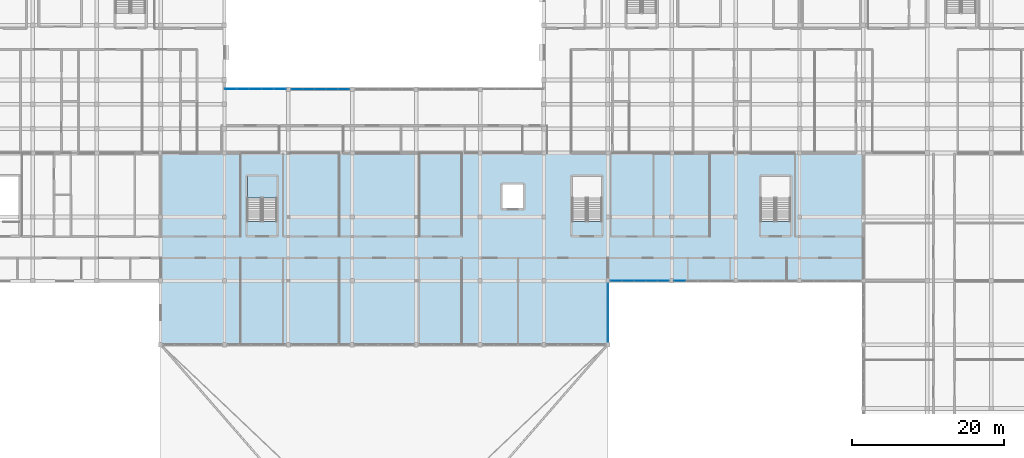
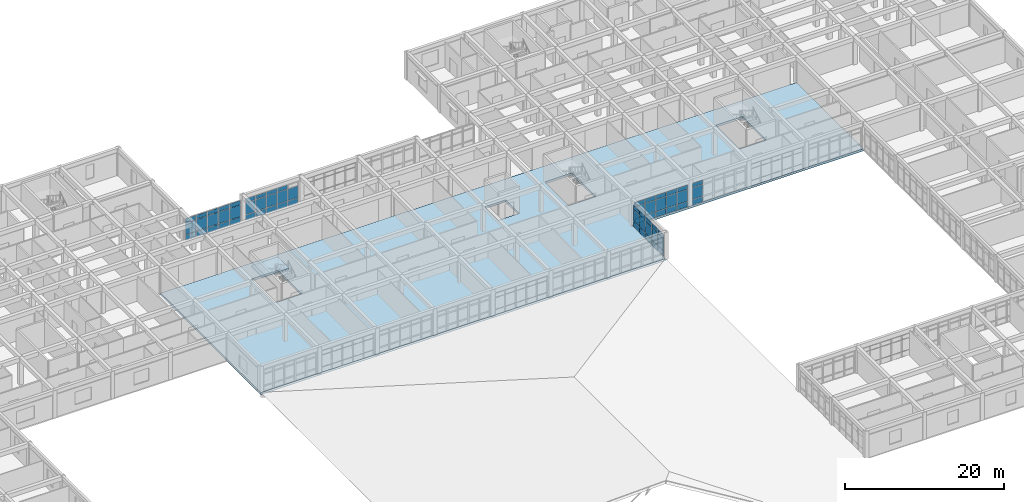
# One storey, part 36 of 77: 62 plates, 2 slabs, 6 elements without a shape of their own.
"""IFC4 building model written with IfcOpenShell, lengths in metres."""

from ifc_helpers import new_model, si_unit, direction, frame, origin, origin_2d, place, context, subcontext, project, spatial, polyline, rectangle, outline, extrude, material, layer, layer_set, type_object, element, aggregate, save


model = new_model("IFC4")

# Units and contexts
model_context = context("Model", 3, precision=1e-05, world=origin(), true_north=direction((0.0, 1.0)))
body_context = subcontext(model_context, "Body", "Model", "MODEL_VIEW")
ifc_project = project(units=[si_unit("LENGTHUNIT", "METRE"), si_unit("AREAUNIT", "SQUARE_METRE"), si_unit("VOLUMEUNIT", "CUBIC_METRE"), si_unit("PLANEANGLEUNIT", "RADIAN"), si_unit("MASSUNIT", "GRAM", prefix="KILO")], contexts=[model_context])

# Site, building, storey
site_placement = place(None, origin())
site = spatial("IfcSite", under=ifc_project, at=site_placement, CompositionType="ELEMENT")
building_placement = place(site_placement, origin())
building = spatial("IfcBuilding", under=site, at=building_placement, Name="Varncliffe General Hospital", CompositionType="ELEMENT")
storey_placement = place(building_placement, frame((0.0, 0.0, 16.199951171875)))
storey = spatial("IfcBuildingStorey", under=building, at=storey_placement, Name="L03", CompositionType="ELEMENT", Elevation=16.199951171875)

# Curtain wall, plates
ifc_material_1 = material(Name="Triple low-E argon insulated vision glazing", Category="glass")
curtain_wall_type_1 = type_object("IfcCurtainWallType", Name="Unitised Glazed Curtain Wall CW23 (7774x3440)", PredefinedType="USERDEFINED", material=ifc_material_1)
curtain_wall_1_placement = place(storey_placement, origin())
curtain_wall_1 = element("IfcCurtainWall", 1, at=curtain_wall_1_placement, inside=storey, type_object=curtain_wall_type_1, Name="L03 Glazed Curtain Wall CW23-172", ObjectType="GLAZED CURTAIN WALL", PredefinedType="USERDEFINED")
ifc_layer_1 = layer(ifc_material_1, 0.035888671875)
ifc_layer_set_1 = layer_set([ifc_layer_1], Name="Triple low-E argon insulated vision glazing")
plate_type_1 = type_object("IfcPlateType", Name="Curtain Wall Glazing Panel CP27 (36mm)", PredefinedType="CURTAIN_PANEL", material=ifc_layer_set_1)
plate_1_placement = place(storey_placement, frame((124.890869140625, 82.800048828125, 0.06005859375), z_axis=(0.0, 0.0, 1.0), x_axis=(-1.0, 0.0, 0.0)))
plate_1 = element("IfcPlate", 2, at=plate_1_placement, type_object=plate_type_1, Name="CW23 panel 1.1", PredefinedType="CURTAIN_PANEL", context=body_context, shape_type="SweptSolid", body=[
    extrude(rectangle(XDim=1.4423828125, YDim=0.035888671875, at=origin_2d()), origin(), (0.0, 0.0, 1.0), 0.81005859375),
])
plate_2_placement = place(storey_placement, frame((124.890869140625, 82.800048828125, 0.93017578125), z_axis=(0.0, 0.0, 1.0), x_axis=(-1.0, 0.0, 0.0)))
plate_2 = element("IfcPlate", 3, at=plate_2_placement, type_object=plate_type_1, Name="CW23 panel 1.2", PredefinedType="CURTAIN_PANEL", context=body_context, shape_type="SweptSolid", body=[
    extrude(rectangle(XDim=1.4423828125, YDim=0.035888671875, at=origin_2d()), origin(), (0.0, 0.0, 1.0), 1.780029296875),
])
plate_3_placement = place(storey_placement, frame((124.890869140625, 82.800048828125, 2.77001953125), z_axis=(0.0, 0.0, 1.0), x_axis=(-1.0, 0.0, 0.0)))
plate_3 = element("IfcPlate", 4, at=plate_3_placement, type_object=plate_type_1, Name="CW23 panel 1.3", PredefinedType="CURTAIN_PANEL", context=body_context, shape_type="SweptSolid", body=[
    extrude(rectangle(XDim=1.4423828125, YDim=0.035888671875, at=origin_2d()), origin(), (0.0, 0.0, 1.0), 0.610107421875),
])
plate_4_placement = place(storey_placement, frame((123.354736328125, 82.800048828125, 0.06005859375), z_axis=(0.0, 0.0, 1.0), x_axis=(-1.0, 0.0, 0.0)))
plate_4 = element("IfcPlate", 5, at=plate_4_placement, type_object=plate_type_1, Name="CW23 panel 2.1", PredefinedType="CURTAIN_PANEL", context=body_context, shape_type="SweptSolid", body=[
    extrude(rectangle(XDim=1.479736328125, YDim=0.035888671875, at=origin_2d()), origin(), (0.0, 0.0, 1.0), 0.81005859375),
])
plate_5_placement = place(storey_placement, frame((123.354736328125, 82.800048828125, 0.93017578125), z_axis=(0.0, 0.0, 1.0), x_axis=(-1.0, 0.0, 0.0)))
plate_5 = element("IfcPlate", 6, at=plate_5_placement, type_object=plate_type_1, Name="CW23 panel 2.2", PredefinedType="CURTAIN_PANEL", context=body_context, shape_type="SweptSolid", body=[
    extrude(rectangle(XDim=1.479736328125, YDim=0.035888671875, at=origin_2d()), origin(), (0.0, 0.0, 1.0), 1.780029296875),
])
plate_6_placement = place(storey_placement, frame((123.354736328125, 82.800048828125, 2.77001953125), z_axis=(0.0, 0.0, 1.0), x_axis=(-1.0, 0.0, 0.0)))
plate_6 = element("IfcPlate", 7, at=plate_6_placement, type_object=plate_type_1, Name="CW23 panel 2.3", PredefinedType="CURTAIN_PANEL", context=body_context, shape_type="SweptSolid", body=[
    extrude(rectangle(XDim=1.479736328125, YDim=0.035888671875, at=origin_2d()), origin(), (0.0, 0.0, 1.0), 0.610107421875),
])
plate_7_placement = place(storey_placement, frame((121.800048828125, 82.800048828125, 0.06005859375), z_axis=(0.0, 0.0, 1.0), x_axis=(-1.0, 0.0, 0.0)))
plate_7 = element("IfcPlate", 8, at=plate_7_placement, type_object=plate_type_1, Name="CW23 panel 3.1", PredefinedType="CURTAIN_PANEL", context=body_context, shape_type="SweptSolid", body=[
    extrude(rectangle(XDim=1.479736328125, YDim=0.035888671875, at=origin_2d()), origin(), (0.0, 0.0, 1.0), 0.81005859375),
])
plate_8_placement = place(storey_placement, frame((121.800048828125, 82.800048828125, 0.93017578125), z_axis=(0.0, 0.0, 1.0), x_axis=(-1.0, 0.0, 0.0)))
plate_8 = element("IfcPlate", 9, at=plate_8_placement, type_object=plate_type_1, Name="CW23 panel 3.2", PredefinedType="CURTAIN_PANEL", context=body_context, shape_type="SweptSolid", body=[
    extrude(rectangle(XDim=1.479736328125, YDim=0.035888671875, at=origin_2d()), origin(), (0.0, 0.0, 1.0), 1.780029296875),
])
plate_9_placement = place(storey_placement, frame((121.800048828125, 82.800048828125, 2.77001953125), z_axis=(0.0, 0.0, 1.0), x_axis=(-1.0, 0.0, 0.0)))
plate_9 = element("IfcPlate", 10, at=plate_9_placement, type_object=plate_type_1, Name="CW23 panel 3.3", PredefinedType="CURTAIN_PANEL", context=body_context, shape_type="SweptSolid", body=[
    extrude(rectangle(XDim=1.479736328125, YDim=0.035888671875, at=origin_2d()), origin(), (0.0, 0.0, 1.0), 0.610107421875),
])
plate_10_placement = place(storey_placement, frame((120.2451171875, 82.800048828125, 0.06005859375), z_axis=(0.0, 0.0, 1.0), x_axis=(-1.0, 0.0, 0.0)))
plate_10 = element("IfcPlate", 11, at=plate_10_placement, type_object=plate_type_1, Name="CW23 panel 4.1", PredefinedType="CURTAIN_PANEL", context=body_context, shape_type="SweptSolid", body=[
    extrude(rectangle(XDim=1.479736328125, YDim=0.035888671875, at=origin_2d()), origin(), (0.0, 0.0, 1.0), 0.81005859375),
])
plate_11_placement = place(storey_placement, frame((120.2451171875, 82.800048828125, 0.93017578125), z_axis=(0.0, 0.0, 1.0), x_axis=(-1.0, 0.0, 0.0)))
plate_11 = element("IfcPlate", 12, at=plate_11_placement, type_object=plate_type_1, Name="CW23 panel 4.2", PredefinedType="CURTAIN_PANEL", context=body_context, shape_type="SweptSolid", body=[
    extrude(rectangle(XDim=1.479736328125, YDim=0.035888671875, at=origin_2d()), origin(), (0.0, 0.0, 1.0), 1.780029296875),
])
plate_12_placement = place(storey_placement, frame((120.2451171875, 82.800048828125, 2.77001953125), z_axis=(0.0, 0.0, 1.0), x_axis=(-1.0, 0.0, 0.0)))
plate_12 = element("IfcPlate", 13, at=plate_12_placement, type_object=plate_type_1, Name="CW23 panel 4.3", PredefinedType="CURTAIN_PANEL", context=body_context, shape_type="SweptSolid", body=[
    extrude(rectangle(XDim=1.479736328125, YDim=0.035888671875, at=origin_2d()), origin(), (0.0, 0.0, 1.0), 0.610107421875),
])
plate_13_placement = place(storey_placement, frame((118.709228515625, 82.800048828125, 0.06005859375), z_axis=(0.0, 0.0, 1.0), x_axis=(-1.0, 0.0, 0.0)))
plate_13 = element("IfcPlate", 14, at=plate_13_placement, type_object=plate_type_1, Name="CW23 panel 5.1", PredefinedType="CURTAIN_PANEL", context=body_context, shape_type="SweptSolid", body=[
    extrude(rectangle(XDim=1.4423828125, YDim=0.035888671875, at=origin_2d()), origin(), (0.0, 0.0, 1.0), 0.81005859375),
])
plate_14_placement = place(storey_placement, frame((118.709228515625, 82.800048828125, 0.93017578125), z_axis=(0.0, 0.0, 1.0), x_axis=(-1.0, 0.0, 0.0)))
plate_14 = element("IfcPlate", 15, at=plate_14_placement, type_object=plate_type_1, Name="CW23 panel 5.2", PredefinedType="CURTAIN_PANEL", context=body_context, shape_type="SweptSolid", body=[
    extrude(rectangle(XDim=1.4423828125, YDim=0.035888671875, at=origin_2d()), origin(), (0.0, 0.0, 1.0), 1.780029296875),
])
plate_15_placement = place(storey_placement, frame((118.709228515625, 82.800048828125, 2.77001953125), z_axis=(0.0, 0.0, 1.0), x_axis=(-1.0, 0.0, 0.0)))
plate_15 = element("IfcPlate", 16, at=plate_15_placement, type_object=plate_type_1, Name="CW23 panel 5.3", PredefinedType="CURTAIN_PANEL", context=body_context, shape_type="SweptSolid", body=[
    extrude(rectangle(XDim=1.4423828125, YDim=0.035888671875, at=origin_2d()), origin(), (0.0, 0.0, 1.0), 0.610107421875),
])
aggregate(curtain_wall_1, [plate_1, plate_2, plate_3, plate_4, plate_5, plate_6, plate_7, plate_8, plate_9, plate_10, plate_11, plate_12, plate_13, plate_14, plate_15])

curtain_wall_type_2 = type_object("IfcCurtainWallType", Name="Unitised Glazed Curtain Wall CW29 (8102x3440)", PredefinedType="USERDEFINED", material=ifc_material_1)
curtain_wall_2_placement = place(storey_placement, origin())
curtain_wall_2 = element("IfcCurtainWall", 17, at=curtain_wall_2_placement, inside=storey, type_object=curtain_wall_type_2, Name="L03 Glazed Curtain Wall CW29-153", ObjectType="GLAZED CURTAIN WALL", PredefinedType="USERDEFINED")
ifc_material_2 = material(Name="Insulated ceramic-fritted spandrel glazing panel", Category="glass")
ifc_layer_2 = layer(ifc_material_2, 0.06396484375)
ifc_layer_set_2 = layer_set([ifc_layer_2], Name="Insulated ceramic-fritted spandrel glazing panel")
plate_type_2 = type_object("IfcPlateType", Name="Curtain Wall Glazing Panel CP41 (64mm)", PredefinedType="CURTAIN_PANEL", material=ifc_layer_set_2)
plate_16_placement = place(storey_placement, frame((68.029052734375, 108.0, 0.06494140625), z_axis=(0.0, 0.0, 1.0), x_axis=(1.0, 0.0, 0.0)))
plate_16 = element("IfcPlate", 18, at=plate_16_placement, type_object=plate_type_2, Name="CW29 panel 1.1", PredefinedType="CURTAIN_PANEL", context=body_context, shape_type="SweptSolid", body=[
    extrude(rectangle(XDim=1.5078125, YDim=0.06396484375, at=origin_2d()), origin(), (0.0, 0.0, 1.0), 0.802490234375),
])
plate_17_placement = place(storey_placement, frame((68.029052734375, 108.0, 0.9326171875), z_axis=(0.0, 0.0, 1.0), x_axis=(1.0, 0.0, 0.0)))
plate_17 = element("IfcPlate", 19, at=plate_17_placement, type_object=plate_type_2, Name="CW29 panel 1.2", PredefinedType="CURTAIN_PANEL", context=body_context, shape_type="SweptSolid", body=[
    extrude(rectangle(XDim=1.5078125, YDim=0.06396484375, at=origin_2d()), origin(), (0.0, 0.0, 1.0), 1.77490234375),
])
plate_18_placement = place(storey_placement, frame((68.029052734375, 108.0, 2.7724609375), z_axis=(0.0, 0.0, 1.0), x_axis=(1.0, 0.0, 0.0)))
plate_18 = element("IfcPlate", 20, at=plate_18_placement, type_object=plate_type_2, Name="CW29 panel 1.3", PredefinedType="CURTAIN_PANEL", context=body_context, shape_type="SweptSolid", body=[
    extrude(rectangle(XDim=1.5078125, YDim=0.06396484375, at=origin_2d()), origin(), (0.0, 0.0, 1.0), 0.6025390625),
])
plate_19_placement = place(storey_placement, frame((69.630615234375, 108.0, 0.06494140625), z_axis=(0.0, 0.0, 1.0), x_axis=(1.0, 0.0, 0.0)))
plate_19 = element("IfcPlate", 21, at=plate_19_placement, type_object=plate_type_2, Name="CW29 panel 2.1", PredefinedType="CURTAIN_PANEL", context=body_context, shape_type="SweptSolid", body=[
    extrude(rectangle(XDim=1.54541015625, YDim=0.06396484375, at=origin_2d()), origin(), (0.0, 0.0, 1.0), 0.802490234375),
])
plate_20_placement = place(storey_placement, frame((69.630615234375, 108.0, 0.9326171875), z_axis=(0.0, 0.0, 1.0), x_axis=(1.0, 0.0, 0.0)))
plate_20 = element("IfcPlate", 22, at=plate_20_placement, type_object=plate_type_2, Name="CW29 panel 2.2", PredefinedType="CURTAIN_PANEL", context=body_context, shape_type="SweptSolid", body=[
    extrude(rectangle(XDim=1.54541015625, YDim=0.06396484375, at=origin_2d()), origin(), (0.0, 0.0, 1.0), 1.77490234375),
])
plate_21_placement = place(storey_placement, frame((69.630615234375, 108.0, 2.7724609375), z_axis=(0.0, 0.0, 1.0), x_axis=(1.0, 0.0, 0.0)))
plate_21 = element("IfcPlate", 23, at=plate_21_placement, type_object=plate_type_2, Name="CW29 panel 2.3", PredefinedType="CURTAIN_PANEL", context=body_context, shape_type="SweptSolid", body=[
    extrude(rectangle(XDim=1.54541015625, YDim=0.06396484375, at=origin_2d()), origin(), (0.0, 0.0, 1.0), 0.6025390625),
])
plate_22_placement = place(storey_placement, frame((71.2509765625, 108.0, 0.06494140625), z_axis=(0.0, 0.0, 1.0), x_axis=(1.0, 0.0, 0.0)))
plate_22 = element("IfcPlate", 24, at=plate_22_placement, type_object=plate_type_2, Name="CW29 panel 3.1", PredefinedType="CURTAIN_PANEL", context=body_context, shape_type="SweptSolid", body=[
    extrude(rectangle(XDim=1.54541015625, YDim=0.06396484375, at=origin_2d()), origin(), (0.0, 0.0, 1.0), 0.802490234375),
])
plate_23_placement = place(storey_placement, frame((71.2509765625, 108.0, 0.9326171875), z_axis=(0.0, 0.0, 1.0), x_axis=(1.0, 0.0, 0.0)))
plate_23 = element("IfcPlate", 25, at=plate_23_placement, type_object=plate_type_2, Name="CW29 panel 3.2", PredefinedType="CURTAIN_PANEL", context=body_context, shape_type="SweptSolid", body=[
    extrude(rectangle(XDim=1.54541015625, YDim=0.06396484375, at=origin_2d()), origin(), (0.0, 0.0, 1.0), 1.77490234375),
])
plate_24_placement = place(storey_placement, frame((71.2509765625, 108.0, 2.7724609375), z_axis=(0.0, 0.0, 1.0), x_axis=(1.0, 0.0, 0.0)))
plate_24 = element("IfcPlate", 26, at=plate_24_placement, type_object=plate_type_2, Name="CW29 panel 3.3", PredefinedType="CURTAIN_PANEL", context=body_context, shape_type="SweptSolid", body=[
    extrude(rectangle(XDim=1.54541015625, YDim=0.06396484375, at=origin_2d()), origin(), (0.0, 0.0, 1.0), 0.6025390625),
])
plate_25_placement = place(storey_placement, frame((72.871337890625, 108.0, 0.06494140625), z_axis=(0.0, 0.0, 1.0), x_axis=(1.0, 0.0, 0.0)))
plate_25 = element("IfcPlate", 27, at=plate_25_placement, type_object=plate_type_2, Name="CW29 panel 4.1", PredefinedType="CURTAIN_PANEL", context=body_context, shape_type="SweptSolid", body=[
    extrude(rectangle(XDim=1.54541015625, YDim=0.06396484375, at=origin_2d()), origin(), (0.0, 0.0, 1.0), 0.802490234375),
])
plate_26_placement = place(storey_placement, frame((72.871337890625, 108.0, 0.9326171875), z_axis=(0.0, 0.0, 1.0), x_axis=(1.0, 0.0, 0.0)))
plate_26 = element("IfcPlate", 28, at=plate_26_placement, type_object=plate_type_2, Name="CW29 panel 4.2", PredefinedType="CURTAIN_PANEL", context=body_context, shape_type="SweptSolid", body=[
    extrude(rectangle(XDim=1.54541015625, YDim=0.06396484375, at=origin_2d()), origin(), (0.0, 0.0, 1.0), 1.77490234375),
])
plate_27_placement = place(storey_placement, frame((72.871337890625, 108.0, 2.7724609375), z_axis=(0.0, 0.0, 1.0), x_axis=(1.0, 0.0, 0.0)))
plate_27 = element("IfcPlate", 29, at=plate_27_placement, type_object=plate_type_2, Name="CW29 panel 4.3", PredefinedType="CURTAIN_PANEL", context=body_context, shape_type="SweptSolid", body=[
    extrude(rectangle(XDim=1.54541015625, YDim=0.06396484375, at=origin_2d()), origin(), (0.0, 0.0, 1.0), 0.6025390625),
])
plate_28_placement = place(storey_placement, frame((74.47314453125, 108.0, 0.06494140625), z_axis=(0.0, 0.0, 1.0), x_axis=(1.0, 0.0, 0.0)))
plate_28 = element("IfcPlate", 30, at=plate_28_placement, type_object=plate_type_2, Name="CW29 panel 5.1", PredefinedType="CURTAIN_PANEL", context=body_context, shape_type="SweptSolid", body=[
    extrude(rectangle(XDim=1.5078125, YDim=0.06396484375, at=origin_2d()), origin(), (0.0, 0.0, 1.0), 0.802490234375),
])
plate_29_placement = place(storey_placement, frame((74.47314453125, 108.0, 0.9326171875), z_axis=(0.0, 0.0, 1.0), x_axis=(1.0, 0.0, 0.0)))
plate_29 = element("IfcPlate", 31, at=plate_29_placement, type_object=plate_type_2, Name="CW29 panel 5.2", PredefinedType="CURTAIN_PANEL", context=body_context, shape_type="SweptSolid", body=[
    extrude(rectangle(XDim=1.5078125, YDim=0.06396484375, at=origin_2d()), origin(), (0.0, 0.0, 1.0), 1.77490234375),
])
plate_30_placement = place(storey_placement, frame((74.47314453125, 108.0, 2.7724609375), z_axis=(0.0, 0.0, 1.0), x_axis=(1.0, 0.0, 0.0)))
plate_30 = element("IfcPlate", 32, at=plate_30_placement, type_object=plate_type_2, Name="CW29 panel 5.3", PredefinedType="CURTAIN_PANEL", context=body_context, shape_type="SweptSolid", body=[
    extrude(rectangle(XDim=1.5078125, YDim=0.06396484375, at=origin_2d()), origin(), (0.0, 0.0, 1.0), 0.6025390625),
])
aggregate(curtain_wall_2, [plate_16, plate_17, plate_18, plate_19, plate_20, plate_21, plate_22, plate_23, plate_24, plate_25, plate_26, plate_27, plate_28, plate_29, plate_30])

curtain_wall_type_3 = type_object("IfcCurtainWallType", Name="Unitised Glazed Curtain Wall CW37 (7694x3440)", PredefinedType="USERDEFINED", material=ifc_material_1)
curtain_wall_3_placement = place(storey_placement, origin())
curtain_wall_3 = element("IfcCurtainWall", 33, at=curtain_wall_3_placement, inside=storey, type_object=curtain_wall_type_3, Name="L03 Glazed Curtain Wall CW37-173", ObjectType="GLAZED CURTAIN WALL", PredefinedType="USERDEFINED")
plate_31_placement = place(storey_placement, frame((117.60009765625, 81.661376953125, 0.06005859375), z_axis=(0.0, 0.0, 1.0), x_axis=(0.0, -1.0, 0.0)))
plate_31 = element("IfcPlate", 34, at=plate_31_placement, type_object=plate_type_2, Name="CW37 panel 1.1", PredefinedType="CURTAIN_PANEL", context=body_context, shape_type="SweptSolid", body=[
    extrude(rectangle(XDim=1.44140625, YDim=0.06396484375, at=origin_2d()), origin(), (0.0, 0.0, 1.0), 0.81005859375),
])
plate_32_placement = place(storey_placement, frame((117.60009765625, 81.661376953125, 0.93017578125), z_axis=(0.0, 0.0, 1.0), x_axis=(0.0, -1.0, 0.0)))
plate_32 = element("IfcPlate", 35, at=plate_32_placement, type_object=plate_type_2, Name="CW37 panel 1.2", PredefinedType="CURTAIN_PANEL", context=body_context, shape_type="SweptSolid", body=[
    extrude(rectangle(XDim=1.44140625, YDim=0.06396484375, at=origin_2d()), origin(), (0.0, 0.0, 1.0), 1.780029296875),
])
plate_33_placement = place(storey_placement, frame((117.60009765625, 81.661376953125, 2.77001953125), z_axis=(0.0, 0.0, 1.0), x_axis=(0.0, -1.0, 0.0)))
plate_33 = element("IfcPlate", 36, at=plate_33_placement, type_object=plate_type_2, Name="CW37 panel 1.3", PredefinedType="CURTAIN_PANEL", context=body_context, shape_type="SweptSolid", body=[
    extrude(rectangle(XDim=1.44140625, YDim=0.06396484375, at=origin_2d()), origin(), (0.0, 0.0, 1.0), 0.610107421875),
])
plate_34_placement = place(storey_placement, frame((117.60009765625, 80.138916015625, 0.06005859375), z_axis=(0.0, 0.0, 1.0), x_axis=(0.0, -1.0, 0.0)))
plate_34 = element("IfcPlate", 37, at=plate_34_placement, type_object=plate_type_2, Name="CW37 panel 2.1", PredefinedType="CURTAIN_PANEL", context=body_context, shape_type="SweptSolid", body=[
    extrude(rectangle(XDim=1.473876953125, YDim=0.06396484375, at=origin_2d()), origin(), (0.0, 0.0, 1.0), 0.81005859375),
])
plate_35_placement = place(storey_placement, frame((117.60009765625, 80.138916015625, 0.93017578125), z_axis=(0.0, 0.0, 1.0), x_axis=(0.0, -1.0, 0.0)))
plate_35 = element("IfcPlate", 38, at=plate_35_placement, type_object=plate_type_2, Name="CW37 panel 2.2", PredefinedType="CURTAIN_PANEL", context=body_context, shape_type="SweptSolid", body=[
    extrude(rectangle(XDim=1.473876953125, YDim=0.06396484375, at=origin_2d()), origin(), (0.0, 0.0, 1.0), 1.780029296875),
])
plate_36_placement = place(storey_placement, frame((117.60009765625, 80.138916015625, 2.77001953125), z_axis=(0.0, 0.0, 1.0), x_axis=(0.0, -1.0, 0.0)))
plate_36 = element("IfcPlate", 39, at=plate_36_placement, type_object=plate_type_2, Name="CW37 panel 2.3", PredefinedType="CURTAIN_PANEL", context=body_context, shape_type="SweptSolid", body=[
    extrude(rectangle(XDim=1.473876953125, YDim=0.06396484375, at=origin_2d()), origin(), (0.0, 0.0, 1.0), 0.610107421875),
])
plate_37_placement = place(storey_placement, frame((117.60009765625, 78.60009765625, 0.06005859375), z_axis=(0.0, 0.0, 1.0), x_axis=(0.0, -1.0, 0.0)))
plate_37 = element("IfcPlate", 40, at=plate_37_placement, type_object=plate_type_2, Name="CW37 panel 3.1", PredefinedType="CURTAIN_PANEL", context=body_context, shape_type="SweptSolid", body=[
    extrude(rectangle(XDim=1.473876953125, YDim=0.06396484375, at=origin_2d()), origin(), (0.0, 0.0, 1.0), 0.81005859375),
])
plate_38_placement = place(storey_placement, frame((117.60009765625, 78.60009765625, 0.93017578125), z_axis=(0.0, 0.0, 1.0), x_axis=(0.0, -1.0, 0.0)))
plate_38 = element("IfcPlate", 41, at=plate_38_placement, type_object=plate_type_2, Name="CW37 panel 3.2", PredefinedType="CURTAIN_PANEL", context=body_context, shape_type="SweptSolid", body=[
    extrude(rectangle(XDim=1.473876953125, YDim=0.06396484375, at=origin_2d()), origin(), (0.0, 0.0, 1.0), 1.780029296875),
])
plate_39_placement = place(storey_placement, frame((117.60009765625, 78.60009765625, 2.77001953125), z_axis=(0.0, 0.0, 1.0), x_axis=(0.0, -1.0, 0.0)))
plate_39 = element("IfcPlate", 42, at=plate_39_placement, type_object=plate_type_2, Name="CW37 panel 3.3", PredefinedType="CURTAIN_PANEL", context=body_context, shape_type="SweptSolid", body=[
    extrude(rectangle(XDim=1.473876953125, YDim=0.06396484375, at=origin_2d()), origin(), (0.0, 0.0, 1.0), 0.610107421875),
])
plate_40_placement = place(storey_placement, frame((117.60009765625, 77.061279296875, 0.06005859375), z_axis=(0.0, 0.0, 1.0), x_axis=(0.0, -1.0, 0.0)))
plate_40 = element("IfcPlate", 43, at=plate_40_placement, type_object=plate_type_2, Name="CW37 panel 4.1", PredefinedType="CURTAIN_PANEL", context=body_context, shape_type="SweptSolid", body=[
    extrude(rectangle(XDim=1.473876953125, YDim=0.06396484375, at=origin_2d()), origin(), (0.0, 0.0, 1.0), 0.81005859375),
])
plate_41_placement = place(storey_placement, frame((117.60009765625, 77.061279296875, 0.93017578125), z_axis=(0.0, 0.0, 1.0), x_axis=(0.0, -1.0, 0.0)))
plate_41 = element("IfcPlate", 44, at=plate_41_placement, type_object=plate_type_2, Name="CW37 panel 4.2", PredefinedType="CURTAIN_PANEL", context=body_context, shape_type="SweptSolid", body=[
    extrude(rectangle(XDim=1.473876953125, YDim=0.06396484375, at=origin_2d()), origin(), (0.0, 0.0, 1.0), 1.780029296875),
])
plate_42_placement = place(storey_placement, frame((117.60009765625, 77.061279296875, 2.77001953125), z_axis=(0.0, 0.0, 1.0), x_axis=(0.0, -1.0, 0.0)))
plate_42 = element("IfcPlate", 45, at=plate_42_placement, type_object=plate_type_2, Name="CW37 panel 4.3", PredefinedType="CURTAIN_PANEL", context=body_context, shape_type="SweptSolid", body=[
    extrude(rectangle(XDim=1.473876953125, YDim=0.06396484375, at=origin_2d()), origin(), (0.0, 0.0, 1.0), 0.610107421875),
])
plate_43_placement = place(storey_placement, frame((117.60009765625, 75.53857421875, 0.06005859375), z_axis=(0.0, 0.0, 1.0), x_axis=(0.0, -1.0, 0.0)))
plate_43 = element("IfcPlate", 46, at=plate_43_placement, type_object=plate_type_2, Name="CW37 panel 5.1", PredefinedType="CURTAIN_PANEL", context=body_context, shape_type="SweptSolid", body=[
    extrude(rectangle(XDim=1.44140625, YDim=0.06396484375, at=origin_2d()), origin(), (0.0, 0.0, 1.0), 0.81005859375),
])
plate_44_placement = place(storey_placement, frame((117.60009765625, 75.53857421875, 0.93017578125), z_axis=(0.0, 0.0, 1.0), x_axis=(0.0, -1.0, 0.0)))
plate_44 = element("IfcPlate", 47, at=plate_44_placement, type_object=plate_type_2, Name="CW37 panel 5.2", PredefinedType="CURTAIN_PANEL", context=body_context, shape_type="SweptSolid", body=[
    extrude(rectangle(XDim=1.44140625, YDim=0.06396484375, at=origin_2d()), origin(), (0.0, 0.0, 1.0), 1.780029296875),
])
plate_45_placement = place(storey_placement, frame((117.60009765625, 75.53857421875, 2.77001953125), z_axis=(0.0, 0.0, 1.0), x_axis=(0.0, -1.0, 0.0)))
plate_45 = element("IfcPlate", 48, at=plate_45_placement, type_object=plate_type_2, Name="CW37 panel 5.3", PredefinedType="CURTAIN_PANEL", context=body_context, shape_type="SweptSolid", body=[
    extrude(rectangle(XDim=1.44140625, YDim=0.06396484375, at=origin_2d()), origin(), (0.0, 0.0, 1.0), 0.610107421875),
])
aggregate(curtain_wall_3, [plate_31, plate_32, plate_33, plate_34, plate_35, plate_36, plate_37, plate_38, plate_39, plate_40, plate_41, plate_42, plate_43, plate_44, plate_45])

curtain_wall_type_4 = type_object("IfcCurtainWallType", Name="Unitised Glazed Curtain Wall CW79 (7724x3440)", PredefinedType="USERDEFINED", material=ifc_material_1)
curtain_wall_4_placement = place(storey_placement, origin())
curtain_wall_4 = element("IfcCurtainWall", 49, at=curtain_wall_4_placement, inside=storey, type_object=curtain_wall_type_4, Name="L03 Glazed Curtain Wall CW79-154", ObjectType="GLAZED CURTAIN WALL", PredefinedType="USERDEFINED")
ifc_layer_3 = layer(ifc_material_1, 0.028076171875)
ifc_layer_set_3 = layer_set([ifc_layer_3], Name="Triple low-E argon insulated vision glazing")
plate_type_3 = type_object("IfcPlateType", Name="Curtain Wall Glazing Panel CP48 (28mm)", PredefinedType="CURTAIN_PANEL", material=ifc_layer_set_3)
plate_46_placement = place(storey_placement, frame((76.729248046875, 108.0, 0.06005859375), z_axis=(0.0, 0.0, 1.0), x_axis=(1.0, 0.0, 0.0)))
plate_46 = element("IfcPlate", 50, at=plate_46_placement, type_object=plate_type_3, Name="CW79 panel 1.1", PredefinedType="CURTAIN_PANEL", context=body_context, shape_type="SweptSolid", body=[
    extrude(rectangle(XDim=1.432373046875, YDim=0.028076171875, at=origin_2d()), origin(), (0.0, 0.0, 1.0), 0.81005859375),
])
plate_47_placement = place(storey_placement, frame((76.729248046875, 108.0, 0.93017578125), z_axis=(0.0, 0.0, 1.0), x_axis=(1.0, 0.0, 0.0)))
plate_47 = element("IfcPlate", 51, at=plate_47_placement, type_object=plate_type_3, Name="CW79 panel 1.2", PredefinedType="CURTAIN_PANEL", context=body_context, shape_type="SweptSolid", body=[
    extrude(rectangle(XDim=1.432373046875, YDim=0.028076171875, at=origin_2d()), origin(), (0.0, 0.0, 1.0), 1.780029296875),
])
plate_48_placement = place(storey_placement, frame((76.729248046875, 108.0, 2.77001953125), z_axis=(0.0, 0.0, 1.0), x_axis=(1.0, 0.0, 0.0)))
plate_48 = element("IfcPlate", 52, at=plate_48_placement, type_object=plate_type_3, Name="CW79 panel 1.3", PredefinedType="CURTAIN_PANEL", context=body_context, shape_type="SweptSolid", body=[
    extrude(rectangle(XDim=1.432373046875, YDim=0.028076171875, at=origin_2d()), origin(), (0.0, 0.0, 1.0), 0.610107421875),
])
plate_49_placement = place(storey_placement, frame((78.255126953125, 108.0, 0.06005859375), z_axis=(0.0, 0.0, 1.0), x_axis=(1.0, 0.0, 0.0)))
plate_49 = element("IfcPlate", 53, at=plate_49_placement, type_object=plate_type_3, Name="CW79 panel 2.1", PredefinedType="CURTAIN_PANEL", context=body_context, shape_type="SweptSolid", body=[
    extrude(rectangle(XDim=1.4697265625, YDim=0.028076171875, at=origin_2d()), origin(), (0.0, 0.0, 1.0), 0.81005859375),
])
plate_50_placement = place(storey_placement, frame((78.255126953125, 108.0, 0.93017578125), z_axis=(0.0, 0.0, 1.0), x_axis=(1.0, 0.0, 0.0)))
plate_50 = element("IfcPlate", 54, at=plate_50_placement, type_object=plate_type_3, Name="CW79 panel 2.2", PredefinedType="CURTAIN_PANEL", context=body_context, shape_type="SweptSolid", body=[
    extrude(rectangle(XDim=1.4697265625, YDim=0.028076171875, at=origin_2d()), origin(), (0.0, 0.0, 1.0), 1.780029296875),
])
plate_51_placement = place(storey_placement, frame((78.255126953125, 108.0, 2.77001953125), z_axis=(0.0, 0.0, 1.0), x_axis=(1.0, 0.0, 0.0)))
plate_51 = element("IfcPlate", 55, at=plate_51_placement, type_object=plate_type_3, Name="CW79 panel 2.3", PredefinedType="CURTAIN_PANEL", context=body_context, shape_type="SweptSolid", body=[
    extrude(rectangle(XDim=1.4697265625, YDim=0.028076171875, at=origin_2d()), origin(), (0.0, 0.0, 1.0), 0.610107421875),
])
plate_52_placement = place(storey_placement, frame((79.800048828125, 108.0, 0.06005859375), z_axis=(0.0, 0.0, 1.0), x_axis=(1.0, 0.0, 0.0)))
plate_52 = element("IfcPlate", 56, at=plate_52_placement, type_object=plate_type_3, Name="CW79 panel 3.1", PredefinedType="CURTAIN_PANEL", context=body_context, shape_type="SweptSolid", body=[
    extrude(rectangle(XDim=1.4697265625, YDim=0.028076171875, at=origin_2d()), origin(), (0.0, 0.0, 1.0), 0.81005859375),
])
plate_53_placement = place(storey_placement, frame((79.800048828125, 108.0, 0.93017578125), z_axis=(0.0, 0.0, 1.0), x_axis=(1.0, 0.0, 0.0)))
plate_53 = element("IfcPlate", 57, at=plate_53_placement, type_object=plate_type_3, Name="CW79 panel 3.2", PredefinedType="CURTAIN_PANEL", context=body_context, shape_type="SweptSolid", body=[
    extrude(rectangle(XDim=1.4697265625, YDim=0.028076171875, at=origin_2d()), origin(), (0.0, 0.0, 1.0), 1.780029296875),
])
plate_54_placement = place(storey_placement, frame((79.800048828125, 108.0, 2.77001953125), z_axis=(0.0, 0.0, 1.0), x_axis=(1.0, 0.0, 0.0)))
plate_54 = element("IfcPlate", 58, at=plate_54_placement, type_object=plate_type_3, Name="CW79 panel 3.3", PredefinedType="CURTAIN_PANEL", context=body_context, shape_type="SweptSolid", body=[
    extrude(rectangle(XDim=1.4697265625, YDim=0.028076171875, at=origin_2d()), origin(), (0.0, 0.0, 1.0), 0.610107421875),
])
plate_55_placement = place(storey_placement, frame((81.3447265625, 108.0, 0.06005859375), z_axis=(0.0, 0.0, 1.0), x_axis=(1.0, 0.0, 0.0)))
plate_55 = element("IfcPlate", 59, at=plate_55_placement, type_object=plate_type_3, Name="CW79 panel 4.1", PredefinedType="CURTAIN_PANEL", context=body_context, shape_type="SweptSolid", body=[
    extrude(rectangle(XDim=1.4697265625, YDim=0.028076171875, at=origin_2d()), origin(), (0.0, 0.0, 1.0), 0.81005859375),
])
plate_56_placement = place(storey_placement, frame((81.3447265625, 108.0, 0.93017578125), z_axis=(0.0, 0.0, 1.0), x_axis=(1.0, 0.0, 0.0)))
plate_56 = element("IfcPlate", 60, at=plate_56_placement, type_object=plate_type_3, Name="CW79 panel 4.2", PredefinedType="CURTAIN_PANEL", context=body_context, shape_type="SweptSolid", body=[
    extrude(rectangle(XDim=1.4697265625, YDim=0.028076171875, at=origin_2d()), origin(), (0.0, 0.0, 1.0), 1.780029296875),
])
plate_57_placement = place(storey_placement, frame((81.3447265625, 108.0, 2.77001953125), z_axis=(0.0, 0.0, 1.0), x_axis=(1.0, 0.0, 0.0)))
plate_57 = element("IfcPlate", 61, at=plate_57_placement, type_object=plate_type_3, Name="CW79 panel 4.3", PredefinedType="CURTAIN_PANEL", context=body_context, shape_type="SweptSolid", body=[
    extrude(rectangle(XDim=1.4697265625, YDim=0.028076171875, at=origin_2d()), origin(), (0.0, 0.0, 1.0), 0.610107421875),
])
plate_58_placement = place(storey_placement, frame((82.870849609375, 108.0, 0.06005859375), z_axis=(0.0, 0.0, 1.0), x_axis=(1.0, 0.0, 0.0)))
plate_58 = element("IfcPlate", 62, at=plate_58_placement, type_object=plate_type_3, Name="CW79 panel 5.1", PredefinedType="CURTAIN_PANEL", context=body_context, shape_type="SweptSolid", body=[
    extrude(rectangle(XDim=1.432373046875, YDim=0.028076171875, at=origin_2d()), origin(), (0.0, 0.0, 1.0), 0.81005859375),
])
plate_59_placement = place(storey_placement, frame((82.870849609375, 108.0, 0.93017578125), z_axis=(0.0, 0.0, 1.0), x_axis=(1.0, 0.0, 0.0)))
plate_59 = element("IfcPlate", 63, at=plate_59_placement, type_object=plate_type_3, Name="CW79 panel 5.2", PredefinedType="CURTAIN_PANEL", context=body_context, shape_type="SweptSolid", body=[
    extrude(rectangle(XDim=1.432373046875, YDim=0.028076171875, at=origin_2d()), origin(), (0.0, 0.0, 1.0), 1.780029296875),
])
aggregate(curtain_wall_4, [plate_46, plate_47, plate_48, plate_49, plate_50, plate_51, plate_52, plate_53, plate_54, plate_55, plate_56, plate_57, plate_58, plate_59])

curtain_wall_type_5 = type_object("IfcCurtainWallType", Name="Unitised Glazed Curtain Wall CW83 (7854x3440)", PredefinedType="USERDEFINED", material=ifc_material_1)
curtain_wall_5_placement = place(storey_placement, origin())
curtain_wall_5 = element("IfcCurtainWall", 64, at=curtain_wall_5_placement, inside=storey, type_object=curtain_wall_type_5, Name="L03 Glazed Curtain Wall CW83-171", ObjectType="GLAZED CURTAIN WALL", PredefinedType="USERDEFINED")
plate_60_placement = place(storey_placement, frame((127.0771484375, 82.800048828125, 0.06494140625), z_axis=(0.0, 0.0, 1.0), x_axis=(-1.0, 0.0, 0.0)))
plate_60 = element("IfcPlate", 65, at=plate_60_placement, type_object=plate_type_3, Name="CW83 panel 5.1", PredefinedType="CURTAIN_PANEL", context=body_context, shape_type="SweptSolid", body=[
    extrude(rectangle(XDim=1.458251953125, YDim=0.028076171875, at=origin_2d()), origin(), (0.0, 0.0, 1.0), 0.802490234375),
])
plate_61_placement = place(storey_placement, frame((127.0771484375, 82.800048828125, 0.9326171875), z_axis=(0.0, 0.0, 1.0), x_axis=(-1.0, 0.0, 0.0)))
plate_61 = element("IfcPlate", 66, at=plate_61_placement, type_object=plate_type_3, Name="CW83 panel 5.2", PredefinedType="CURTAIN_PANEL", context=body_context, shape_type="SweptSolid", body=[
    extrude(rectangle(XDim=1.458251953125, YDim=0.028076171875, at=origin_2d()), origin(), (0.0, 0.0, 1.0), 1.77490234375),
])
plate_62_placement = place(storey_placement, frame((127.0771484375, 82.800048828125, 2.7724609375), z_axis=(0.0, 0.0, 1.0), x_axis=(-1.0, 0.0, 0.0)))
plate_62 = element("IfcPlate", 67, at=plate_62_placement, type_object=plate_type_3, Name="CW83 panel 5.3", PredefinedType="CURTAIN_PANEL", context=body_context, shape_type="SweptSolid", body=[
    extrude(rectangle(XDim=1.458251953125, YDim=0.028076171875, at=origin_2d()), origin(), (0.0, 0.0, 1.0), 0.6025390625),
])
aggregate(curtain_wall_5, [plate_60, plate_61, plate_62])

# Slab
ifc_material_3 = material(Name="Concrete C35/45 (CSA A23.1 35 MPa)", Category="concrete")
ifc_layer_4 = layer(ifc_material_3, 0.330078125)
ifc_layer_set_4 = layer_set([ifc_layer_4], Name="Concrete C35/45 (CSA A23.1 35 MPa)")
slab_type_1 = type_object("IfcSlabType", Name="Floor Slab SL28 (Int 330mm)", PredefinedType="FLOOR", material=ifc_layer_set_4)
slab_1_placement = place(storey_placement, frame((0.0, 0.0, -0.329833984375)))
element("IfcSlab", 68, at=slab_1_placement, inside=storey, type_object=slab_type_1, Name="L03 V4 Structural Floor Slab 1", PredefinedType="FLOOR", context=body_context, shape_type="SweptSolid", body=[
    extrude(outline(polyline([(117.60009765625, 74.39990234375), (58.800048828125, 74.39990234375), (58.800048828125, 99.60009765625), (117.60009765625, 99.60009765625), (151.199951171875, 99.60009765625), (151.199951171875, 82.800048828125), (117.60009765625, 82.800048828125), (117.60009765625, 74.39990234375)]), holes=[polyline([(116.800048828125, 90.60009765625), (116.800048828125, 96.550048828125), (112.89990234375, 96.550048828125), (112.89990234375, 90.60009765625), (116.800048828125, 90.60009765625)]), polyline([(74.10009765625, 90.60009765625), (74.10009765625, 96.550048828125), (70.199951171875, 96.550048828125), (70.199951171875, 90.60009765625), (74.10009765625, 90.60009765625)]), polyline([(141.60009765625, 90.60009765625), (141.60009765625, 96.550048828125), (137.699951171875, 96.550048828125), (137.699951171875, 90.60009765625), (141.60009765625, 90.60009765625)]), polyline([(103.60009765625, 92.199951171875), (106.60009765625, 92.199951171875), (106.60009765625, 95.60009765625), (103.60009765625, 95.60009765625), (103.60009765625, 92.199951171875)])]), origin(), (0.0, 0.0, 1.0), 0.329833984375),
])

# Stair, slab
stair_type = type_object("IfcStairType", Name="Hospital Stair Assembly ST-T03 (1850w-4200h)", PredefinedType="TWO_STRAIGHT_RUN_STAIR", material=ifc_material_3)
stair_placement = place(storey_placement, origin())
stair = element("IfcStair", 69, at=stair_placement, inside=storey, type_object=stair_type, Name="L03 Surgical West Exit Stair 12", PredefinedType="TWO_STRAIGHT_RUN_STAIR")
ifc_layer_5 = layer(ifc_material_3, 0.199951171875)
ifc_layer_set_5 = layer_set([ifc_layer_5], Name="Concrete C35/45 (CSA A23.1 35 MPa)")
slab_type_2 = type_object("IfcSlabType", Name="Reinforced Concrete Stair Landing LND50 (200mm)", PredefinedType="LANDING", material=ifc_layer_set_5)
slab_2_placement = place(storey_placement, frame((0.0, 0.0, 1.900146484375)))
slab_2 = element("IfcSlab", 70, at=slab_2_placement, type_object=slab_type_2, Name="ST12 landing 1", PredefinedType="LANDING", context=body_context, shape_type="SweptSolid", body=[
    extrude(outline(polyline([(74.10009765625, 93.679931640625), (74.10009765625, 96.550048828125), (70.199951171875, 96.550048828125), (70.199951171875, 93.679931640625), (74.10009765625, 93.679931640625)])), origin(), (0.0, 0.0, 1.0), 0.199951171875),
])
aggregate(stair, [slab_2])

save(model, "model.ifc")
